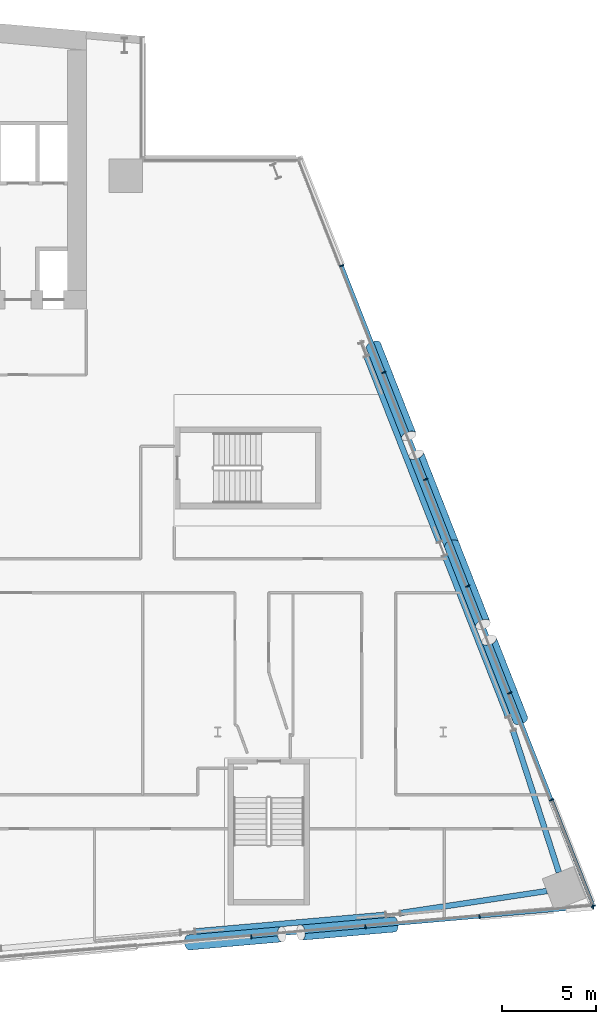
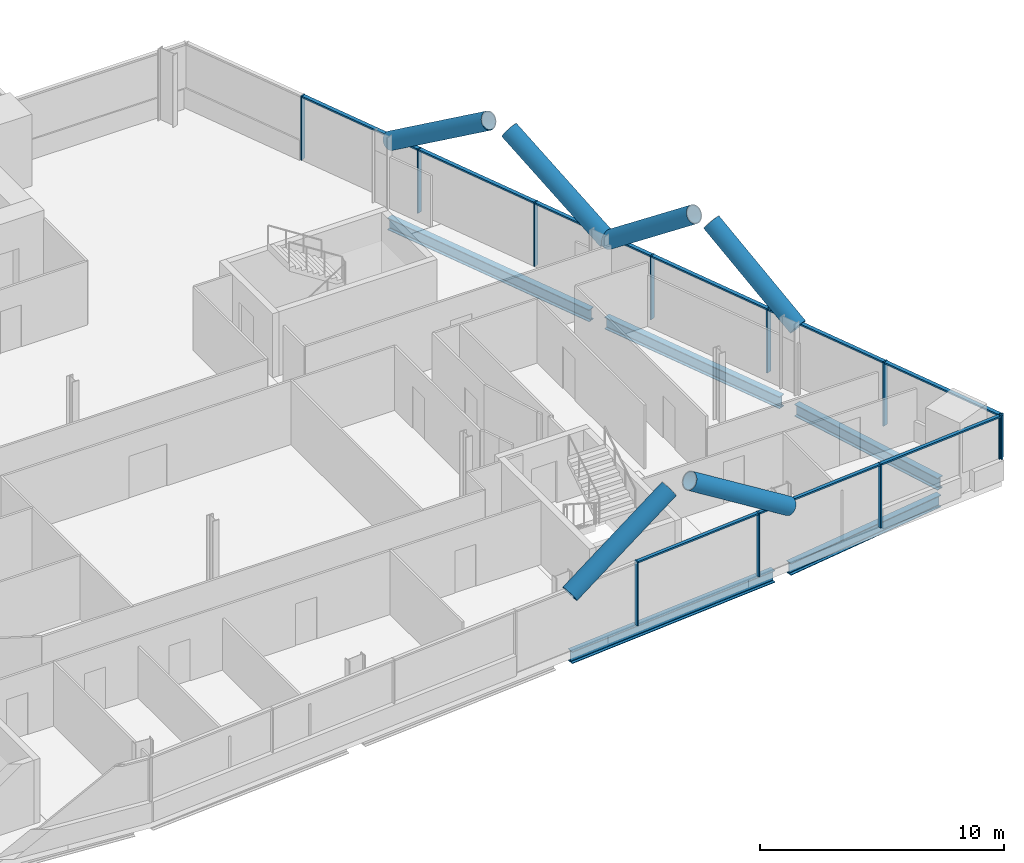
# One storey, part 10 of 27: 26 members, 5 beams, 2 elements without a shape of their own.
"""IFC4 building model written with IfcOpenShell, lengths in metres."""

from ifc_helpers import new_model, si_unit, direction, frame, origin, origin_2d, place, context, subcontext, project, spatial, rectangle, hollow_circle, i_section, extrude, material, material_profile, profile_set, type_object, element, aggregate, save


model = new_model("IFC4")

# Units and contexts
model_context = context("Model", 3, precision=1e-05, world=origin(), true_north=direction((0.0, 1.0)))
body_context = subcontext(model_context, "Body", "Model", "MODEL_VIEW")
ifc_project = project(units=[si_unit("LENGTHUNIT", "METRE"), si_unit("AREAUNIT", "SQUARE_METRE"), si_unit("VOLUMEUNIT", "CUBIC_METRE"), si_unit("PLANEANGLEUNIT", "RADIAN"), si_unit("MASSUNIT", "GRAM", prefix="KILO")], contexts=[model_context])

# Site, building, storey
site_placement = place(None, origin())
site = spatial("IfcSite", under=ifc_project, at=site_placement, CompositionType="ELEMENT")
building_placement = place(site_placement, origin())
building = spatial("IfcBuilding", under=site, at=building_placement, Name="Wharfspan Tower", CompositionType="ELEMENT")
storey_placement = place(building_placement, frame((0.0, 0.0, 136.300049)))
storey = spatial("IfcBuildingStorey", under=building, at=storey_placement, Name="L32", CompositionType="ELEMENT", Elevation=136.300049)

# Beams
ifc_material_1 = material(Name="Steel S355J2", Category="steel")
ifc_material_profile_1 = material_profile(ifc_material_1, i_section(OverallWidth=0.300049, OverallDepth=0.600098, WebThickness=0.015381, FlangeThickness=0.030029, FilletRadius=0.0271, at=origin_2d()))
ifc_profile_set_1 = profile_set([ifc_material_profile_1], Name="Steel S355J2")
beam_type = type_object("IfcBeamType", Name="Edge beam HEB 600", PredefinedType="SPANDREL", material=ifc_profile_set_1)
beam_1_placement = place(storey_placement, frame((70.805664, 0.887695, -0.699951), z_axis=(0.996194, 0.087159, 0.0), x_axis=(-0.087159, 0.996194, 0.0)))
element("IfcBeam", 1, at=beam_1_placement, inside=storey, type_object=beam_type, Name="Edge beam S2 L32 PS2.2 to PS2.3", PredefinedType="SPANDREL", context=body_context, shape_type="SweptSolid", body=[
    extrude(i_section(OverallWidth=0.300049, OverallDepth=0.600098, WebThickness=0.015381, FlangeThickness=0.030029, FilletRadius=0.0271, at=origin_2d()), origin(), (0.0, 0.0, 1.0), 10.159424),
])
beam_2_placement = place(storey_placement, frame((81.727295, 1.868408, -0.699951), z_axis=(0.988926, 0.148412, 0.0), x_axis=(-0.148412, 0.988926, 0.0)))
element("IfcBeam", 2, at=beam_2_placement, inside=storey, type_object=beam_type, Name="Edge beam S2 L32 PS2.3 to MC4", PredefinedType="SPANDREL", context=body_context, shape_type="SweptSolid", body=[
    extrude(i_section(OverallWidth=0.300049, OverallDepth=0.600098, WebThickness=0.015381, FlangeThickness=0.030029, FilletRadius=0.0271, at=origin_2d()), origin(), (0.0, 0.0, 1.0), 7.87793),
])
beam_3_placement = place(storey_placement, frame((90.150879, 4.02832, -0.699951), z_axis=(-0.307851, 0.951434, 0.0), x_axis=(-0.951434, -0.307851, 0.0)))
element("IfcBeam", 3, at=beam_3_placement, inside=storey, type_object=beam_type, Name="Edge beam E L32 MC4 to PE.1", PredefinedType="SPANDREL", context=body_context, shape_type="SweptSolid", body=[
    extrude(i_section(OverallWidth=0.300049, OverallDepth=0.600098, WebThickness=0.015381, FlangeThickness=0.030029, FilletRadius=0.0271, at=origin_2d()), origin(), (0.0, 0.0, 1.0), 7.924805),
])
beam_4_placement = place(storey_placement, frame((87.439453, 12.327637, -0.699951), z_axis=(-0.365779, 0.930702, 0.0), x_axis=(-0.930702, -0.365779, 0.0)))
element("IfcBeam", 4, at=beam_4_placement, inside=storey, type_object=beam_type, Name="Edge beam E L32 PE.1 to PE.2", PredefinedType="SPANDREL", context=body_context, shape_type="SweptSolid", body=[
    extrude(i_section(OverallWidth=0.300049, OverallDepth=0.600098, WebThickness=0.015381, FlangeThickness=0.030029, FilletRadius=0.0271, at=origin_2d()), origin(), (0.0, 0.0, 1.0), 9.184814),
])
beam_5_placement = place(storey_placement, frame((83.785156, 21.625977, -0.699951), z_axis=(-0.365789, 0.930698, 0.0), x_axis=(-0.930698, -0.365789, 0.0)))
element("IfcBeam", 5, at=beam_5_placement, inside=storey, type_object=beam_type, Name="Edge beam E L32 PE.2 to PE.3", PredefinedType="SPANDREL", context=body_context, shape_type="SweptSolid", body=[
    extrude(i_section(OverallWidth=0.300049, OverallDepth=0.600098, WebThickness=0.015381, FlangeThickness=0.030029, FilletRadius=0.0271, at=origin_2d()), origin(), (0.0, 0.0, 1.0), 10.584961),
])

# Curtain wall, members
ifc_material_2 = material(Name="Aluminium 6063-T6", Category="aluminium")
curtain_wall_type_1 = type_object("IfcCurtainWallType", Name="CURTAIN WALL FACETED FRONT", PredefinedType="NOTDEFINED", material=ifc_material_2)
curtain_wall_1_placement = place(storey_placement, origin())
curtain_wall_1 = element("IfcCurtainWall", 6, at=curtain_wall_1_placement, inside=storey, type_object=curtain_wall_type_1, Name="Curtain wall S2", PredefinedType="NOTDEFINED")
ifc_material_profile_2 = material_profile(ifc_material_2, rectangle(XDim=0.199951, YDim=0.060059, at=origin_2d()))
ifc_profile_set_2 = profile_set([ifc_material_profile_2], Name="Aluminium 6063-T6")
member_type_1 = type_object("IfcMemberType", Name="MULLION FACETED FRONT 60x200", PredefinedType="MULLION", material=ifc_profile_set_2)
member_1_placement = place(storey_placement, frame((73.785645, 0.606445, 0.0), z_axis=(0.0, 0.0, 1.0), x_axis=(-0.087156, 0.996198, 0.0)))
member_1 = element("IfcMember", 7, at=member_1_placement, type_object=member_type_1, Name="Curtain wall S2 mullion 5", PredefinedType="MULLION", context=body_context, shape_type="SweptSolid", body=[
    extrude(rectangle(XDim=0.199951, YDim=0.060059, at=origin_2d()), origin(), (0.0, 0.0, 1.0), 3.199951),
])
member_2_placement = place(storey_placement, frame((79.857178, 1.137695, 0.0), z_axis=(0.0, 0.0, 1.0), x_axis=(-0.087156, 0.996198, 0.0)))
member_2 = element("IfcMember", 8, at=member_2_placement, type_object=member_type_1, Name="Curtain wall S2 mullion 6", PredefinedType="MULLION", context=body_context, shape_type="SweptSolid", body=[
    extrude(rectangle(XDim=0.199951, YDim=0.060059, at=origin_2d()), origin(), (0.0, 0.0, 1.0), 3.199951),
])
member_3_placement = place(storey_placement, frame((85.928467, 1.668701, 0.0), z_axis=(0.0, 0.0, 1.0), x_axis=(-0.087156, 0.996198, 0.0)))
member_3 = element("IfcMember", 9, at=member_3_placement, type_object=member_type_1, Name="Curtain wall S2 mullion 7", PredefinedType="MULLION", context=body_context, shape_type="SweptSolid", body=[
    extrude(rectangle(XDim=0.199951, YDim=0.060059, at=origin_2d()), origin(), (0.0, 0.0, 1.0), 3.199951),
])
member_4_placement = place(storey_placement, frame((91.970215, 2.197266, 1.0), z_axis=(0.0, 0.0, 1.0), x_axis=(-0.087156, 0.996198, 0.0)))
member_4 = element("IfcMember", 10, at=member_4_placement, type_object=member_type_1, Name="Curtain wall S2 mullion 8", PredefinedType="MULLION", context=body_context, shape_type="SweptSolid", body=[
    extrude(rectangle(XDim=0.199951, YDim=0.060059, at=origin_2d()), origin(), (0.0, 0.0, 1.0), 2.199951),
])

curtain_wall_type_2 = type_object("IfcCurtainWallType", Name="CURTAIN WALL PROW AND END", PredefinedType="NOTDEFINED", material=ifc_material_2)
curtain_wall_2_placement = place(storey_placement, origin())
curtain_wall_2 = element("IfcCurtainWall", 11, at=curtain_wall_2_placement, inside=storey, type_object=curtain_wall_type_2, Name="Curtain wall E", PredefinedType="NOTDEFINED")
ifc_material_profile_3 = material_profile(ifc_material_2, rectangle(XDim=0.23999, YDim=0.060059, at=origin_2d()))
ifc_profile_set_3 = profile_set([ifc_material_profile_3], Name="Aluminium 6063-T6")
member_type_2 = type_object("IfcMemberType", Name="MULLION PROW AND END 60x240", PredefinedType="MULLION", material=ifc_profile_set_3)
member_5_placement = place(storey_placement, frame((91.989014, 2.228027, 1.0), z_axis=(0.0, 0.0, 1.0), x_axis=(-0.930702, -0.365778, 0.0)))
member_5 = element("IfcMember", 12, at=member_5_placement, type_object=member_type_2, Name="Curtain wall E mullion 1", PredefinedType="MULLION", context=body_context, shape_type="SweptSolid", body=[
    extrude(rectangle(XDim=0.23999, YDim=0.060059, at=origin_2d()), origin(), (0.0, 0.0, 1.0), 2.199951),
])
member_6_placement = place(storey_placement, frame((89.765381, 7.885742, 0.0), z_axis=(0.0, 0.0, 1.0), x_axis=(-0.930702, -0.365778, 0.0)))
member_6 = element("IfcMember", 13, at=member_6_placement, type_object=member_type_2, Name="Curtain wall E mullion 2", PredefinedType="MULLION", context=body_context, shape_type="SweptSolid", body=[
    extrude(rectangle(XDim=0.23999, YDim=0.060059, at=origin_2d()), origin(), (0.0, 0.0, 1.0), 3.199951),
])
member_7_placement = place(storey_placement, frame((87.530762, 13.571533, 0.0), z_axis=(0.0, 0.0, 1.0), x_axis=(-0.930702, -0.365778, 0.0)))
member_7 = element("IfcMember", 14, at=member_7_placement, type_object=member_type_2, Name="Curtain wall E mullion 3", PredefinedType="MULLION", context=body_context, shape_type="SweptSolid", body=[
    extrude(rectangle(XDim=0.23999, YDim=0.060059, at=origin_2d()), origin(), (0.0, 0.0, 1.0), 3.199951),
])
member_8_placement = place(storey_placement, frame((85.296387, 19.25708, 0.0), z_axis=(0.0, 0.0, 1.0), x_axis=(-0.930702, -0.365778, 0.0)))
member_8 = element("IfcMember", 15, at=member_8_placement, type_object=member_type_2, Name="Curtain wall E mullion 4", PredefinedType="MULLION", context=body_context, shape_type="SweptSolid", body=[
    extrude(rectangle(XDim=0.23999, YDim=0.060059, at=origin_2d()), origin(), (0.0, 0.0, 1.0), 3.199951),
])
member_9_placement = place(storey_placement, frame((83.061768, 24.942871, 0.0), z_axis=(0.0, 0.0, 1.0), x_axis=(-0.930702, -0.365778, 0.0)))
member_9 = element("IfcMember", 16, at=member_9_placement, type_object=member_type_2, Name="Curtain wall E mullion 5", PredefinedType="MULLION", context=body_context, shape_type="SweptSolid", body=[
    extrude(rectangle(XDim=0.23999, YDim=0.060059, at=origin_2d()), origin(), (0.0, 0.0, 1.0), 3.199951),
])
member_10_placement = place(storey_placement, frame((80.827148, 30.628662, 0.0), z_axis=(0.0, 0.0, 1.0), x_axis=(-0.930702, -0.365778, 0.0)))
member_10 = element("IfcMember", 17, at=member_10_placement, type_object=member_type_2, Name="Curtain wall E mullion 6", PredefinedType="MULLION", context=body_context, shape_type="SweptSolid", body=[
    extrude(rectangle(XDim=0.23999, YDim=0.060059, at=origin_2d()), origin(), (0.0, 0.0, 1.0), 3.199951),
])
member_11_placement = place(storey_placement, frame((78.592529, 36.314209, 0.0), z_axis=(0.0, 0.0, 1.0), x_axis=(-0.930702, -0.365778, 0.0)))
member_11 = element("IfcMember", 18, at=member_11_placement, type_object=member_type_2, Name="Curtain wall E mullion 7", PredefinedType="MULLION", context=body_context, shape_type="SweptSolid", body=[
    extrude(rectangle(XDim=0.23999, YDim=0.060059, at=origin_2d()), origin(), (0.0, 0.0, 1.0), 3.199951),
])

# Members
ifc_material_3 = material(Name="Steel S460NH", Category="steel")
ifc_material_profile_4 = material_profile(ifc_material_3, hollow_circle(Radius=0.406494, WallThickness=0.040039, at=origin_2d()))
ifc_profile_set_4 = profile_set([ifc_material_profile_4], Name="Steel S460NH")
member_type_3 = type_object("IfcMemberType", Name="Mega brace CHS 813x40", PredefinedType="BRACE", material=ifc_profile_set_4)
member_12_placement = place(storey_placement, frame((70.452393, 0.299805, 2.899902), z_axis=(0.832734, 0.072869, 0.548858), x_axis=(-0.087173, 0.99619, 1e-06)))
element("IfcMember", 19, at=member_12_placement, inside=storey, type_object=member_type_3, Name="Mega brace S2 L33 part 1", PredefinedType="BRACE", context=body_context, shape_type="SweptSolid", body=[
    extrude(hollow_circle(Radius=0.406494, WallThickness=0.040039, at=origin_2d()), origin(), (0.0, 0.0, 1.0), 5.943604),
])
member_13_placement = place(storey_placement, frame((81.376221, 1.255371, 2.899902), z_axis=(-0.832724, -0.07283, 0.548878), x_axis=(0.087128, -0.996197, 1e-06)))
element("IfcMember", 20, at=member_13_placement, inside=storey, type_object=member_type_3, Name="Mega brace S2 L33 part 3", PredefinedType="BRACE", context=body_context, shape_type="SweptSolid", body=[
    extrude(hollow_circle(Radius=0.406494, WallThickness=0.040039, at=origin_2d()), origin(), (0.0, 0.0, 1.0), 5.943359),
])
for number, where, z_axis, x_axis, name in (
    (21, (84.448975, 21.454102, 2.899902), (-0.30918, 0.786702, 0.534329), (-0.930701, -0.36577, -4e-06), "Mega brace E5 L33 part 1"),
    (22, (80.282471, 32.05542, 2.899902), (0.309216, -0.786692, 0.534323), (0.93069, 0.365817, 2e-06), "Mega brace E5 L33 part 3"),
):
    element("IfcMember", number, at=place(storey_placement, frame(where, z_axis=z_axis, x_axis=x_axis)), inside=storey, type_object=member_type_3, Name=name, PredefinedType="BRACE", context=body_context, shape_type="SweptSolid", body=[
        extrude(hollow_circle(Radius=0.406494, WallThickness=0.040039, at=origin_2d()), origin(), (0.0, 0.0, 1.0), 6.098389),
    ])
member_14_placement = place(storey_placement, frame((88.103516, 12.155518, 2.899902), z_axis=(-0.29676, 0.755051, 0.584664), x_axis=(-0.930695, -0.365797, 4e-06)))
element("IfcMember", 23, at=member_14_placement, inside=storey, type_object=member_type_3, Name="Mega brace E6 L33 part 1", PredefinedType="BRACE", context=body_context, shape_type="SweptSolid", body=[
    extrude(hollow_circle(Radius=0.406494, WallThickness=0.040039, at=origin_2d()), origin(), (0.0, 0.0, 1.0), 5.59668),
])
member_15_placement = place(storey_placement, frame((84.448975, 21.454102, 2.899902), z_axis=(0.29675, -0.75507, 0.584645), x_axis=(0.930704, 0.365779, 4e-06)))
element("IfcMember", 24, at=member_15_placement, inside=storey, type_object=member_type_3, Name="Mega brace E6 L33 part 3", PredefinedType="BRACE", context=body_context, shape_type="SweptSolid", body=[
    extrude(hollow_circle(Radius=0.406494, WallThickness=0.040039, at=origin_2d()), origin(), (0.0, 0.0, 1.0), 5.596924),
])

# Member
ifc_material_profile_5 = material_profile(ifc_material_2, rectangle(XDim=0.159912, YDim=0.080078, at=origin_2d()))
ifc_profile_set_5 = profile_set([ifc_material_profile_5], Name="Aluminium 6063-T6")
member_type_4 = type_object("IfcMemberType", Name="TRANSOM FACETED FRONT 80x160", PredefinedType="USERDEFINED", material=ifc_profile_set_5)
member_16_placement = place(storey_placement, frame((73.815674, 0.609131, 3.159912), z_axis=(0.996196, 0.087146, 0.0), x_axis=(-0.087146, 0.996196, 0.0)))
member_16 = element("IfcMember", 25, at=member_16_placement, type_object=member_type_4, Name="Curtain wall S2 transom 5", ObjectType="TRANSOM", PredefinedType="USERDEFINED", context=body_context, shape_type="SweptSolid", body=[
    extrude(rectangle(XDim=0.159912, YDim=0.080078, at=origin_2d()), origin(), (0.0, 0.0, 1.0), 6.034424),
])

member_17_placement = place(storey_placement, frame((79.886963, 1.140137, 3.159912), z_axis=(0.996192, 0.087183, 0.0), x_axis=(-0.087183, 0.996192, 0.0)))
member_17 = element("IfcMember", 26, at=member_17_placement, type_object=member_type_4, Name="Curtain wall S2 transom 6", ObjectType="TRANSOM", PredefinedType="USERDEFINED", context=body_context, shape_type="SweptSolid", body=[
    extrude(rectangle(XDim=0.159912, YDim=0.080078, at=origin_2d()), origin(), (0.0, 0.0, 1.0), 6.034668),
])

member_18_placement = place(storey_placement, frame((85.958496, 1.671387, 3.159912), z_axis=(0.996193, 0.087174, 0.0), x_axis=(-0.087174, 0.996193, 0.0)))
member_18 = element("IfcMember", 27, at=member_18_placement, type_object=member_type_4, Name="Curtain wall S2 transom 7", ObjectType="TRANSOM", PredefinedType="USERDEFINED", context=body_context, shape_type="SweptSolid", body=[
    extrude(rectangle(XDim=0.159912, YDim=0.080078, at=origin_2d()), origin(), (0.0, 0.0, 1.0), 6.004639),
])

aggregate(curtain_wall_1, [member_1, member_2, member_3, member_4, member_16, member_17, member_18])

ifc_material_profile_6 = material_profile(ifc_material_2, rectangle(XDim=0.179932, YDim=0.080078, at=origin_2d()))
ifc_profile_set_6 = profile_set([ifc_material_profile_6], Name="Aluminium 6063-T6")
member_type_5 = type_object("IfcMemberType", Name="TRANSOM PROW AND END 80x180", PredefinedType="USERDEFINED", material=ifc_profile_set_6)
member_19_placement = place(storey_placement, frame((91.978027, 2.255859, 3.159912), z_axis=(-0.365775, 0.930703, 0.0), x_axis=(-0.930703, -0.365775, 0.0)))
member_19 = element("IfcMember", 28, at=member_19_placement, type_object=member_type_5, Name="Curtain wall E transom 1", ObjectType="TRANSOM", PredefinedType="USERDEFINED", context=body_context, shape_type="SweptSolid", body=[
    extrude(rectangle(XDim=0.179932, YDim=0.080078, at=origin_2d()), origin(), (0.0, 0.0, 1.0), 6.019043),
])

member_20_placement = place(storey_placement, frame((89.754395, 7.913574, 3.159912), z_axis=(-0.365782, 0.9307, 0.0), x_axis=(-0.9307, -0.365782, 0.0)))
member_20 = element("IfcMember", 29, at=member_20_placement, type_object=member_type_5, Name="Curtain wall E transom 2", ObjectType="TRANSOM", PredefinedType="USERDEFINED", context=body_context, shape_type="SweptSolid", body=[
    extrude(rectangle(XDim=0.179932, YDim=0.080078, at=origin_2d()), origin(), (0.0, 0.0, 1.0), 6.049072),
])

member_21_placement = place(storey_placement, frame((87.52002, 13.599365, 3.159912), z_axis=(-0.365782, 0.9307, 0.0), x_axis=(-0.9307, -0.365782, 0.0)))
member_21 = element("IfcMember", 30, at=member_21_placement, type_object=member_type_5, Name="Curtain wall E transom 3", ObjectType="TRANSOM", PredefinedType="USERDEFINED", context=body_context, shape_type="SweptSolid", body=[
    extrude(rectangle(XDim=0.179932, YDim=0.080078, at=origin_2d()), origin(), (0.0, 0.0, 1.0), 6.049072),
])

member_22_placement = place(storey_placement, frame((85.2854, 19.285156, 3.159912), z_axis=(-0.365782, 0.9307, 0.0), x_axis=(-0.9307, -0.365782, 0.0)))
member_22 = element("IfcMember", 31, at=member_22_placement, type_object=member_type_5, Name="Curtain wall E transom 4", ObjectType="TRANSOM", PredefinedType="USERDEFINED", context=body_context, shape_type="SweptSolid", body=[
    extrude(rectangle(XDim=0.179932, YDim=0.080078, at=origin_2d()), origin(), (0.0, 0.0, 1.0), 6.049072),
])

member_23_placement = place(storey_placement, frame((83.050781, 24.970703, 3.159912), z_axis=(-0.365782, 0.9307, 0.0), x_axis=(-0.9307, -0.365782, 0.0)))
member_23 = element("IfcMember", 32, at=member_23_placement, type_object=member_type_5, Name="Curtain wall E transom 5", ObjectType="TRANSOM", PredefinedType="USERDEFINED", context=body_context, shape_type="SweptSolid", body=[
    extrude(rectangle(XDim=0.179932, YDim=0.080078, at=origin_2d()), origin(), (0.0, 0.0, 1.0), 6.049072),
])

member_24_placement = place(storey_placement, frame((80.816162, 30.656494, 3.159912), z_axis=(-0.365782, 0.9307, 0.0), x_axis=(-0.9307, -0.365782, 0.0)))
member_24 = element("IfcMember", 33, at=member_24_placement, type_object=member_type_5, Name="Curtain wall E transom 6", ObjectType="TRANSOM", PredefinedType="USERDEFINED", context=body_context, shape_type="SweptSolid", body=[
    extrude(rectangle(XDim=0.179932, YDim=0.080078, at=origin_2d()), origin(), (0.0, 0.0, 1.0), 6.049072),
])

aggregate(curtain_wall_2, [member_5, member_6, member_7, member_8, member_9, member_10, member_11, member_19, member_20, member_21, member_22, member_23, member_24])

save(model, "model.ifc")
